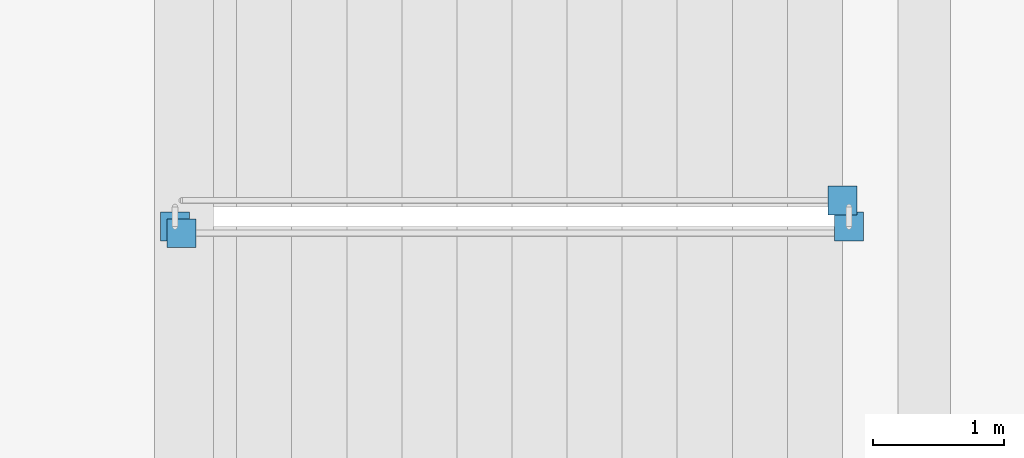
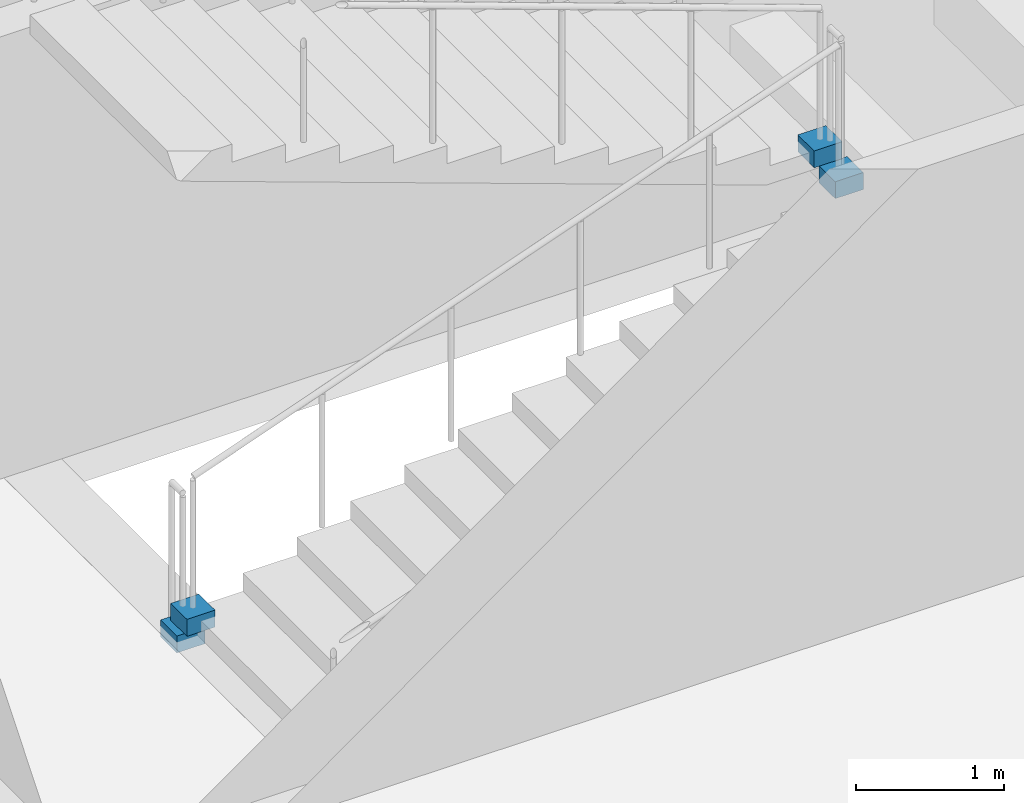
# One storey, part 68 of 80: 4 discrete accessories.
"""IFC4 building model written with IfcOpenShell, lengths in metres."""

from ifc_helpers import new_model, si_unit, direction, frame, origin, origin_2d, place, context, subcontext, project, spatial, rectangle, extrude, material, type_object, element, save


model = new_model("IFC4")

# Units and contexts
model_context = context("Model", 3, precision=1e-05, world=origin(), true_north=direction((0.0, 1.0)))
body_context = subcontext(model_context, "Body", "Model", "MODEL_VIEW")
ifc_project = project(units=[si_unit("LENGTHUNIT", "METRE"), si_unit("AREAUNIT", "SQUARE_METRE"), si_unit("VOLUMEUNIT", "CUBIC_METRE"), si_unit("PLANEANGLEUNIT", "RADIAN"), si_unit("MASSUNIT", "GRAM", prefix="KILO")], contexts=[model_context])

# Site, building, storey
site_placement = place(None, origin())
site = spatial("IfcSite", under=ifc_project, at=site_placement, CompositionType="ELEMENT")
building_placement = place(site_placement, origin())
building = spatial("IfcBuilding", under=site, at=building_placement, Name="Varnakota Cinema and Media Centre", CompositionType="ELEMENT")
storey_placement = place(building_placement, frame((0.0, 0.0, 4.5)))
storey = spatial("IfcBuildingStorey", under=building, at=storey_placement, Name="L01", CompositionType="ELEMENT", Elevation=4.5)

# Discrete accessories
ifc_material = material(Name="Structural steel Grade 350 (E350)", Category="steel")
discrete_accessory_type = type_object("IfcDiscreteAccessoryType", Name="ACC-BRACKET-SG", PredefinedType="BRACKET", material=ifc_material)
for number, where, z_axis, x_axis, name in (
    (1, (11.60009765625, 90.550048828125, 0.06005859375), (0.0, 0.0, 1.0), (1.0, 0.0, 0.0), "L01 stair guard base bracket ST-05-L01-G1"),
    (2, (16.68994140625, 90.60009765625, 1.85986328125), (0.0, 0.0, 1.0), (1.0, 0.0, 0.0), "L01 stair guard base bracket ST-05-L01-G2"),
    (3, (16.639892578125, 90.800048828125, 2.01025390625), (0.0, 0.0, 1.0), (1.0, 0.0, 0.0), "L01 stair guard base bracket ST-05-L01-G3"),
    (4, (11.550048828125, 90.60009765625, -0.08984375), (0.0, 0.0, 1.0), (1.0, 0.0, 0.0), "L01 stair guard base bracket ST-05-L01-G4"),
):
    element("IfcDiscreteAccessory", number, at=place(storey_placement, frame(where, z_axis=z_axis, x_axis=x_axis)), inside=storey, type_object=discrete_accessory_type, Name=name, PredefinedType="BRACKET", context=body_context, shape_type="SweptSolid", body=[
        extrude(rectangle(XDim=0.219970703125, YDim=0.219970703125, at=origin_2d()), origin(), (0.0, 0.0, 1.0), 0.139892578125),
    ])

save(model, "model.ifc")
